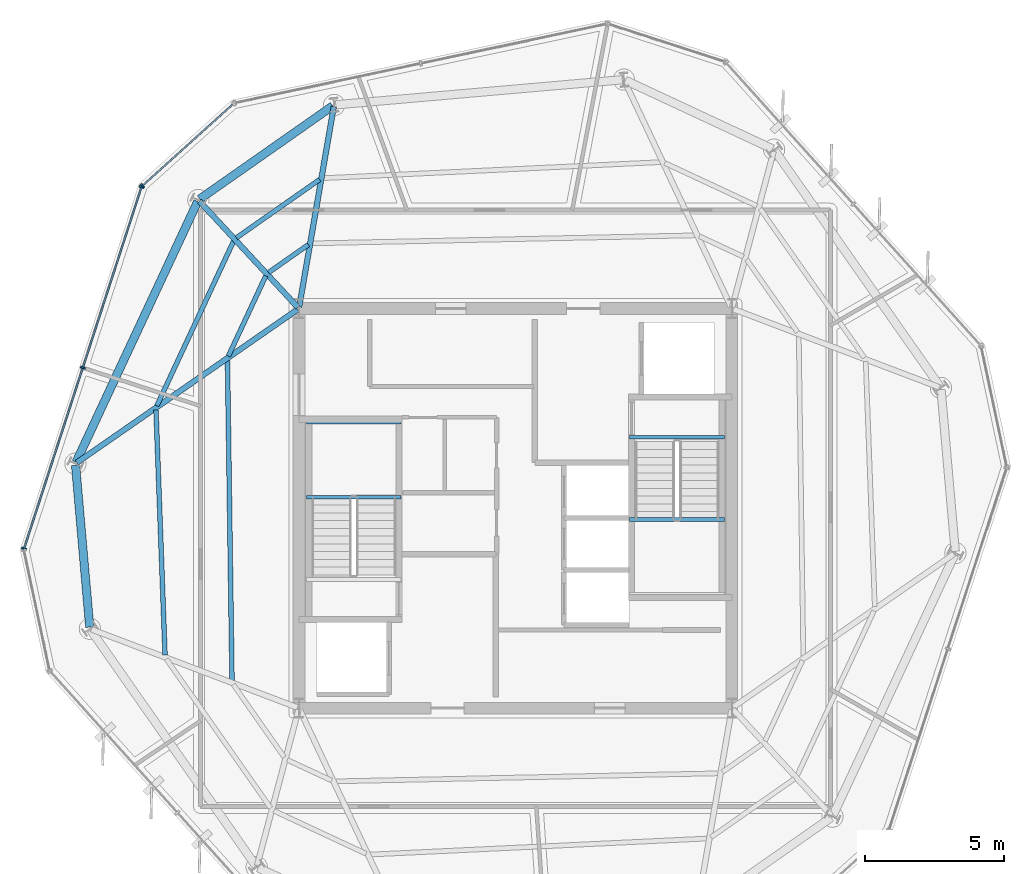
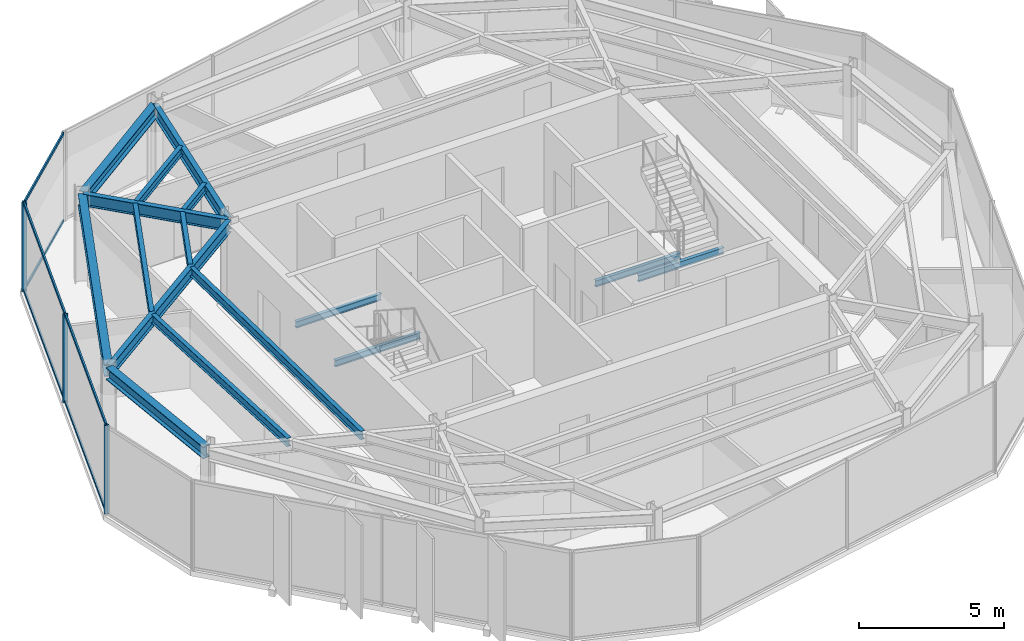
# One storey, part 4 of 13: 16 beams, 10 members, 2 elements without a shape of their own.
"""IFC4 building model written with IfcOpenShell, lengths in metres."""

from ifc_helpers import new_model, si_unit, direction, frame, origin, origin_2d, place, context, subcontext, project, spatial, rectangle, i_section, extrude, material, layer, layer_set, material_profile, profile_set, type_object, element, aggregate, save


model = new_model("IFC4")

# Units and contexts
model_context = context("Model", 3, precision=1e-05, world=origin(), true_north=direction((0.0, 1.0)))
body_context = subcontext(model_context, "Body", "Model", "MODEL_VIEW")
ifc_project = project(units=[si_unit("LENGTHUNIT", "METRE"), si_unit("AREAUNIT", "SQUARE_METRE"), si_unit("VOLUMEUNIT", "CUBIC_METRE"), si_unit("PLANEANGLEUNIT", "RADIAN"), si_unit("MASSUNIT", "GRAM", prefix="KILO")], contexts=[model_context])

# Site, building, storey
site_placement = place(None, origin())
site = spatial("IfcSite", under=ifc_project, at=site_placement, CompositionType="ELEMENT")
building_placement = place(site_placement, origin())
building = spatial("IfcBuilding", under=site, at=building_placement, Name="Kranzbogen Civic Tower", CompositionType="ELEMENT")
storey_placement = place(building_placement, frame((0.0, 0.0, 314.199951171875)))
storey = spatial("IfcBuildingStorey", under=building, at=storey_placement, Name="L76", CompositionType="ELEMENT", Elevation=314.199951171875)

# Curtain wall, member
ifc_material_1 = material(Name="Pale Anodised Aluminium", Category="aluminium")
ifc_layer_1 = layer(ifc_material_1, 0.219970703125, Name="Pale Anodised Aluminium")
ifc_layer_set_1 = layer_set([ifc_layer_1], Name="Pale Anodised Aluminium")
curtain_wall_type_1 = type_object("IfcCurtainWallType", Name="Chamfer Facet Stick Curtain Wall System CW-06", PredefinedType="USERDEFINED", material=ifc_layer_set_1)
curtain_wall_1_placement = place(storey_placement, origin())
curtain_wall_1 = element("IfcCurtainWall", 1, at=curtain_wall_1_placement, inside=storey, type_object=curtain_wall_type_1, Name="L76 curtain wall CW-L76-C1", ObjectType="STICK CURTAIN WALL", PredefinedType="USERDEFINED")
ifc_material_profile_1 = material_profile(ifc_material_1, rectangle(XDim=0.06005859375, YDim=0.159912109375, at=origin_2d()), Name="ALU-M 60x160")
ifc_profile_set_1 = profile_set([ifc_material_profile_1], Name="Pale Anodised Aluminium")
member_type_1 = type_object("IfcMemberType", Name="Curtain Wall Mullion ALU-M 60x160", PredefinedType="MULLION", material=ifc_profile_set_1)
member_1_placement = place(storey_placement, frame((11.564208984375, 36.631103515625, 0.0), z_axis=(0.0, 0.0, 1.0), x_axis=(-0.743205037915, -0.669063727621, 0.0)))
member_1 = element("IfcMember", 2, at=member_1_placement, type_object=member_type_1, Name="CW-06 mullion 2", PredefinedType="MULLION", context=body_context, shape_type="SweptSolid", body=[
    extrude(rectangle(XDim=0.06005859375, YDim=0.159912109375, at=origin_2d()), origin(), (0.0, 0.0, 1.0), 3.739990234375),
])

# Curtain wall, members
ifc_layer_2 = layer(ifc_material_1, 0.219970703125, Name="Pale Anodised Aluminium")
ifc_layer_set_2 = layer_set([ifc_layer_2], Name="Pale Anodised Aluminium")
curtain_wall_type_2 = type_object("IfcCurtainWallType", Name="Zone 4 Stick Curtain Wall System CW-05", PredefinedType="USERDEFINED", material=ifc_layer_set_2)
curtain_wall_2_placement = place(storey_placement, origin())
curtain_wall_2 = element("IfcCurtainWall", 3, at=curtain_wall_2_placement, inside=storey, type_object=curtain_wall_type_2, Name="L76 curtain wall CW-L76-F2", ObjectType="STICK CURTAIN WALL", PredefinedType="USERDEFINED")
ifc_material_profile_2 = material_profile(ifc_material_1, rectangle(XDim=0.06494140625, YDim=0.179931640625, at=origin_2d()), Name="ALU-M 65x180")
ifc_profile_set_2 = profile_set([ifc_material_profile_2], Name="Pale Anodised Aluminium")
member_type_2 = type_object("IfcMemberType", Name="Curtain Wall Mullion ALU-M 65x180", PredefinedType="MULLION", material=ifc_profile_set_2)
member_2_placement = place(storey_placement, frame((11.53271484375, 36.58251953125, 0.0), z_axis=(0.0, 0.0, 1.0), x_axis=(-0.309005589548, -0.951060221872, 0.0)))
member_2 = element("IfcMember", 4, at=member_2_placement, type_object=member_type_2, Name="CW-05 mullion 1", PredefinedType="MULLION", context=body_context, shape_type="SweptSolid", body=[
    extrude(rectangle(XDim=0.06494140625, YDim=0.179931640625, at=origin_2d()), origin(), (0.0, 0.0, 1.0), 3.739990234375),
])
member_3_placement = place(storey_placement, frame((9.4150390625, 30.064453125, 0.0), z_axis=(0.0, 0.0, 1.0), x_axis=(-0.309005589548, -0.951060221872, 0.0)))
member_3 = element("IfcMember", 5, at=member_3_placement, type_object=member_type_2, Name="CW-05 mullion 2", PredefinedType="MULLION", context=body_context, shape_type="SweptSolid", body=[
    extrude(rectangle(XDim=0.06494140625, YDim=0.179931640625, at=origin_2d()), origin(), (0.0, 0.0, 1.0), 3.739990234375),
])
member_4_placement = place(storey_placement, frame((7.29736328125, 23.546630859375, 0.0), z_axis=(0.0, 0.0, 1.0), x_axis=(-0.309005589548, -0.951060221872, 0.0)))
member_4 = element("IfcMember", 6, at=member_4_placement, type_object=member_type_2, Name="CW-05 mullion 3", PredefinedType="MULLION", context=body_context, shape_type="SweptSolid", body=[
    extrude(rectangle(XDim=0.06494140625, YDim=0.179931640625, at=origin_2d()), origin(), (0.0, 0.0, 1.0), 3.739990234375),
])

# Member
ifc_material_profile_3 = material_profile(ifc_material_1, rectangle(XDim=0.06005859375, YDim=0.1201171875, at=origin_2d()), Name="ALU-T 60x120")
ifc_profile_set_3 = profile_set([ifc_material_profile_3], Name="Pale Anodised Aluminium")
member_type_3 = type_object("IfcMemberType", Name="Curtain Wall Transom ALU-T 60x120", PredefinedType="USERDEFINED", material=ifc_profile_set_3)
member_5_placement = place(storey_placement, frame((14.8154296875, 39.557861328125, 0.030029296875), z_axis=(-0.743196338078, -0.669073391391, 0.0), x_axis=(0.669073391391, -0.743196338078, 0.0)))
member_5 = element("IfcMember", 7, at=member_5_placement, type_object=member_type_3, Name="CW-06 transom 1.1", ObjectType="TRANSOM", PredefinedType="USERDEFINED", context=body_context, shape_type="SweptSolid", body=[
    extrude(rectangle(XDim=0.06005859375, YDim=0.1201171875, at=origin_2d()), origin(), (0.0, 0.0, 1.0), 4.344482421875),
])

member_6_placement = place(storey_placement, frame((14.8154296875, 39.557861328125, 3.7099609375), z_axis=(-0.743196338078, -0.669073391391, 0.0), x_axis=(0.669073391391, -0.743196338078, 0.0)))
member_6 = element("IfcMember", 8, at=member_6_placement, type_object=member_type_3, Name="CW-06 transom 1.2", ObjectType="TRANSOM", PredefinedType="USERDEFINED", context=body_context, shape_type="SweptSolid", body=[
    extrude(rectangle(XDim=0.06005859375, YDim=0.1201171875, at=origin_2d()), origin(), (0.0, 0.0, 1.0), 4.344482421875),
])

aggregate(curtain_wall_1, [member_1, member_5, member_6])

ifc_material_profile_4 = material_profile(ifc_material_1, rectangle(XDim=0.06494140625, YDim=0.135009765625, at=origin_2d()), Name="ALU-T 65x135")
ifc_profile_set_4 = profile_set([ifc_material_profile_4], Name="Pale Anodised Aluminium")
member_type_4 = type_object("IfcMemberType", Name="Curtain Wall Transom ALU-T 65x135", PredefinedType="USERDEFINED", material=ifc_profile_set_4)
member_7_placement = place(storey_placement, frame((11.5234375, 36.553955078125, 0.030029296875), z_axis=(-0.308995057745, -0.951063643658, 0.0), x_axis=(0.951063643658, -0.308995057745, 0.0)))
member_7 = element("IfcMember", 9, at=member_7_placement, type_object=member_type_4, Name="CW-05 transom 1.1", ObjectType="TRANSOM", PredefinedType="USERDEFINED", context=body_context, shape_type="SweptSolid", body=[
    extrude(rectangle(XDim=0.06494140625, YDim=0.135009765625, at=origin_2d()), origin(), (0.0, 0.0, 1.0), 6.79345703125),
])

member_8_placement = place(storey_placement, frame((11.5234375, 36.553955078125, 3.7099609375), z_axis=(-0.308995057745, -0.951063643658, 0.0), x_axis=(0.951063643658, -0.308995057745, 0.0)))
member_8 = element("IfcMember", 10, at=member_8_placement, type_object=member_type_4, Name="CW-05 transom 1.2", ObjectType="TRANSOM", PredefinedType="USERDEFINED", context=body_context, shape_type="SweptSolid", body=[
    extrude(rectangle(XDim=0.06494140625, YDim=0.135009765625, at=origin_2d()), origin(), (0.0, 0.0, 1.0), 6.79345703125),
])

member_9_placement = place(storey_placement, frame((9.40576171875, 30.035888671875, 0.030029296875), z_axis=(-0.308995057745, -0.951063643658, 0.0), x_axis=(0.951063643658, -0.308995057745, 0.0)))
member_9 = element("IfcMember", 11, at=member_9_placement, type_object=member_type_4, Name="CW-05 transom 2.1", ObjectType="TRANSOM", PredefinedType="USERDEFINED", context=body_context, shape_type="SweptSolid", body=[
    extrude(rectangle(XDim=0.06494140625, YDim=0.135009765625, at=origin_2d()), origin(), (0.0, 0.0, 1.0), 6.79345703125),
])

member_10_placement = place(storey_placement, frame((9.40576171875, 30.035888671875, 3.7099609375), z_axis=(-0.308995057745, -0.951063643658, 0.0), x_axis=(0.951063643658, -0.308995057745, 0.0)))
member_10 = element("IfcMember", 12, at=member_10_placement, type_object=member_type_4, Name="CW-05 transom 2.2", ObjectType="TRANSOM", PredefinedType="USERDEFINED", context=body_context, shape_type="SweptSolid", body=[
    extrude(rectangle(XDim=0.06494140625, YDim=0.135009765625, at=origin_2d()), origin(), (0.0, 0.0, 1.0), 6.79345703125),
])

aggregate(curtain_wall_2, [member_2, member_3, member_4, member_7, member_8, member_9, member_10])

# Beams
ifc_material_2 = material(Name="Steel S355", Category="steel")
ifc_material_profile_5 = material_profile(ifc_material_2, i_section(OverallWidth=0.300048828125, OverallDepth=0.5, WebThickness=0.014404296875, FlangeThickness=0.028076171875, at=origin_2d()), Name="HEB 500")
ifc_profile_set_5 = profile_set([ifc_material_profile_5], Name="Steel S355")
beam_type_1 = type_object("IfcBeamType", Name="Perimeter Tube Spandrel Beam HEB 500", PredefinedType="SPANDREL", material=ifc_profile_set_5)
beam_1_placement = place(storey_placement, frame((18.41796875, 39.501953125, 3.489990234375), z_axis=(-0.819059436004, -0.57370867197, 0.0), x_axis=(0.57370867197, -0.819059436004, 0.0)))
element("IfcBeam", 13, at=beam_1_placement, inside=storey, type_object=beam_type_1, Name="L76 perimeter spandrel beam 10", PredefinedType="SPANDREL", context=body_context, shape_type="SweptSolid", body=[
    extrude(i_section(OverallWidth=0.300048828125, OverallDepth=0.5, WebThickness=0.014404296875, FlangeThickness=0.028076171875, at=origin_2d()), origin(), (0.0, 0.0, 1.0), 5.85302734375),
])
beam_2_placement = place(storey_placement, frame((13.550048828125, 36.055908203125, 3.489990234375), z_axis=(-0.422668780888, -0.906284227857, 0.0), x_axis=(0.906284227857, -0.422668780888, 0.0)))
element("IfcBeam", 14, at=beam_2_placement, inside=storey, type_object=beam_type_1, Name="L76 perimeter spandrel beam 11", PredefinedType="SPANDREL", context=body_context, shape_type="SweptSolid", body=[
    extrude(i_section(OverallWidth=0.300048828125, OverallDepth=0.5, WebThickness=0.014404296875, FlangeThickness=0.028076171875, at=origin_2d()), origin(), (0.0, 0.0, 1.0), 10.363037109375),
])
beam_3_placement = place(storey_placement, frame((9.14990234375, 26.550048828125, 3.489990234375), z_axis=(0.087326362434, -0.99617975608, 0.0), x_axis=(0.99617975608, 0.087326362434, 0.0)))
element("IfcBeam", 15, at=beam_3_placement, inside=storey, type_object=beam_type_1, Name="L76 perimeter spandrel beam 12", PredefinedType="SPANDREL", context=body_context, shape_type="SweptSolid", body=[
    extrude(i_section(OverallWidth=0.300048828125, OverallDepth=0.5, WebThickness=0.014404296875, FlangeThickness=0.028076171875, at=origin_2d()), origin(), (0.0, 0.0, 1.0), 5.8515625),
])
ifc_material_profile_6 = material_profile(ifc_material_2, i_section(OverallWidth=0.199951171875, OverallDepth=0.5, WebThickness=0.01025390625, FlangeThickness=0.01611328125, at=origin_2d()), Name="IPE 500")
ifc_profile_set_6 = profile_set([ifc_material_profile_6], Name="Steel S355")
beam_type_2 = type_object("IfcBeamType", Name="Radial Tower Floor Girder IPE 500", PredefinedType="BEAM", material=ifc_profile_set_6)
beam_4_placement = place(storey_placement, frame((18.45703125, 39.47705078125, 3.489990234375), z_axis=(-0.170249558486, -0.985400978199, 0.0), x_axis=(0.985400978199, -0.170249558486, 0.0)))
element("IfcBeam", 16, at=beam_4_placement, inside=storey, type_object=beam_type_2, Name="L76 radial floor girder 10", PredefinedType="BEAM", context=body_context, shape_type="SweptSolid", body=[
    extrude(i_section(OverallWidth=0.199951171875, OverallDepth=0.5, WebThickness=0.01025390625, FlangeThickness=0.01611328125, at=origin_2d()), origin(), (0.0, 0.0, 1.0), 7.324951171875),
])
beam_5_placement = place(storey_placement, frame((13.615966796875, 36.06591796875, 3.489990234375), z_axis=(0.679827353702, -0.733372190064, 0.0), x_axis=(0.733372190064, 0.679827353702, 0.0)))
element("IfcBeam", 17, at=beam_5_placement, inside=storey, type_object=beam_type_2, Name="L76 radial floor girder 11", PredefinedType="BEAM", context=body_context, shape_type="SweptSolid", body=[
    extrude(i_section(OverallWidth=0.199951171875, OverallDepth=0.5, WebThickness=0.01025390625, FlangeThickness=0.01611328125, at=origin_2d()), origin(), (0.0, 0.0, 1.0), 5.211669921875),
])
beam_6_placement = place(storey_placement, frame((9.194091796875, 26.64404296875, 3.489990234375), z_axis=(0.821542812331, 0.570146829779, 0.0), x_axis=(-0.570146829779, 0.821542812331, 0.0)))
element("IfcBeam", 18, at=beam_6_placement, inside=storey, type_object=beam_type_2, Name="L76 radial floor girder 12", PredefinedType="BEAM", context=body_context, shape_type="SweptSolid", body=[
    extrude(i_section(OverallWidth=0.199951171875, OverallDepth=0.5, WebThickness=0.01025390625, FlangeThickness=0.01611328125, at=origin_2d()), origin(), (0.0, 0.0, 1.0), 9.68505859375),
])
ifc_material_profile_7 = material_profile(ifc_material_2, i_section(OverallWidth=0.169921875, OverallDepth=0.360107421875, WebThickness=0.008056640625, FlangeThickness=0.0126953125, at=origin_2d()), Name="IPE 360")
ifc_profile_set_7 = profile_set([ifc_material_profile_7], Name="Steel S355")
beam_type_3 = type_object("IfcBeamType", Name="Secondary Composite Floor Joist IPE 360", PredefinedType="JOIST", material=ifc_profile_set_7)
beam_7_placement = place(storey_placement, frame((17.945068359375, 36.84912109375, 3.56005859375), z_axis=(-0.819006333711, -0.573784476385, 0.0), x_axis=(0.573784476385, -0.819006333711, 0.0)))
element("IfcBeam", 19, at=beam_7_placement, inside=storey, type_object=beam_type_3, Name="L76 secondary floor joist 1.10", PredefinedType="JOIST", context=body_context, shape_type="SweptSolid", body=[
    extrude(i_section(OverallWidth=0.169921875, OverallDepth=0.360107421875, WebThickness=0.008056640625, FlangeThickness=0.0126953125, at=origin_2d()), origin(), (0.0, 0.0, 1.0), 3.661865234375),
])
beam_8_placement = place(storey_placement, frame((17.5400390625, 34.501953125, 3.56005859375), z_axis=(-0.818956727849, -0.573855276103, 0.0), x_axis=(0.573855276103, -0.818956727849, 0.0)))
element("IfcBeam", 20, at=beam_8_placement, inside=storey, type_object=beam_type_3, Name="L76 secondary floor joist 2.10", PredefinedType="JOIST", context=body_context, shape_type="SweptSolid", body=[
    extrude(i_section(OverallWidth=0.169921875, OverallDepth=0.360107421875, WebThickness=0.008056640625, FlangeThickness=0.0126953125, at=origin_2d()), origin(), (0.0, 0.0, 1.0), 1.751220703125),
])
beam_9_placement = place(storey_placement, frame((14.845947265625, 34.6298828125, 3.56005859375), z_axis=(-0.422542528713, -0.906343098075, 0.0), x_axis=(0.906343098075, -0.422542528713, 0.0)))
element("IfcBeam", 21, at=beam_9_placement, inside=storey, type_object=beam_type_3, Name="L76 secondary floor joist 1.11", PredefinedType="JOIST", context=body_context, shape_type="SweptSolid", body=[
    extrude(i_section(OverallWidth=0.169921875, OverallDepth=0.360107421875, WebThickness=0.008056640625, FlangeThickness=0.0126953125, at=origin_2d()), origin(), (0.0, 0.0, 1.0), 6.548095703125),
])
beam_10_placement = place(storey_placement, frame((16.006103515625, 33.37890625, 3.56005859375), z_axis=(-0.422651143991, -0.906292453065, 0.0), x_axis=(0.906292453065, -0.422651143991, 0.0)))
element("IfcBeam", 22, at=beam_10_placement, inside=storey, type_object=beam_type_3, Name="L76 secondary floor joist 2.11", PredefinedType="JOIST", context=body_context, shape_type="SweptSolid", body=[
    extrude(i_section(OverallWidth=0.169921875, OverallDepth=0.360107421875, WebThickness=0.008056640625, FlangeThickness=0.0126953125, at=origin_2d()), origin(), (0.0, 0.0, 1.0), 3.1943359375),
])
beam_11_placement = place(storey_placement, frame((12.048095703125, 28.5419921875, 3.56005859375), z_axis=(0.036992246074, -0.999315552631, 0.0), x_axis=(0.999315552631, 0.036992246074, 0.0)))
element("IfcBeam", 23, at=beam_11_placement, inside=storey, type_object=beam_type_3, Name="L76 secondary floor joist 1.12", PredefinedType="JOIST", context=body_context, shape_type="SweptSolid", body=[
    extrude(i_section(OverallWidth=0.169921875, OverallDepth=0.360107421875, WebThickness=0.008056640625, FlangeThickness=0.0126953125, at=origin_2d()), origin(), (0.0, 0.0, 1.0), 8.837158203125),
])
beam_12_placement = place(storey_placement, frame((14.6240234375, 30.3310546875, 3.56005859375), z_axis=(0.014221385906, -0.999898870978, 0.0), x_axis=(0.999898870978, 0.014221385906, 0.0)))
element("IfcBeam", 24, at=beam_12_placement, inside=storey, type_object=beam_type_3, Name="L76 secondary floor joist 2.12", PredefinedType="JOIST", context=body_context, shape_type="SweptSolid", body=[
    extrude(i_section(OverallWidth=0.169921875, OverallDepth=0.360107421875, WebThickness=0.008056640625, FlangeThickness=0.0126953125, at=origin_2d()), origin(), (0.0, 0.0, 1.0), 11.536376953125),
])
ifc_material_profile_8 = material_profile(ifc_material_2, i_section(OverallWidth=0.135009765625, OverallDepth=0.27001953125, WebThickness=0.006591796875, FlangeThickness=0.01025390625, at=origin_2d()), Name="IPE 270")
ifc_profile_set_8 = profile_set([ifc_material_profile_8], Name="Steel S355")
beam_type_4 = type_object("IfcBeamType", Name="Stair Landing Support Beam IPE 270", PredefinedType="JOIST", material=ifc_profile_set_8)
for number, where, z_axis, x_axis, name in (
    (25, (20.8798828125, 25.39990234375, 1.6650390625), (-1.0, 0.0, 0.0), (0.0, -1.0, 0.0), "L76 ST-T1 landing support beam 1.1"),
    (26, (20.8798828125, 28.10009765625, 1.6650390625), (-1.0, 0.0, 0.0), (0.0, -1.0, 0.0), "L76 ST-T1 landing support beam 1.2"),
    (27, (29.1201171875, 27.56005859375, -0.35498046875), (1.0, 0.0, 0.0), (0.0, 1.0, 0.0), "L76 ST-T2 stair floor header beam"),
    (28, (29.1201171875, 24.60009765625, 1.6650390625), (1.0, 0.0, 0.0), (0.0, 1.0, 0.0), "L76 ST-T2 landing support beam 1.1"),
):
    element("IfcBeam", number, at=place(storey_placement, frame(where, z_axis=z_axis, x_axis=x_axis)), inside=storey, type_object=beam_type_4, Name=name, PredefinedType="JOIST", context=body_context, shape_type="SweptSolid", body=[
        extrude(i_section(OverallWidth=0.135009765625, OverallDepth=0.27001953125, WebThickness=0.006591796875, FlangeThickness=0.01025390625, at=origin_2d()), origin(), (0.0, 0.0, 1.0), 3.409912109375),
    ])

save(model, "model.ifc")
